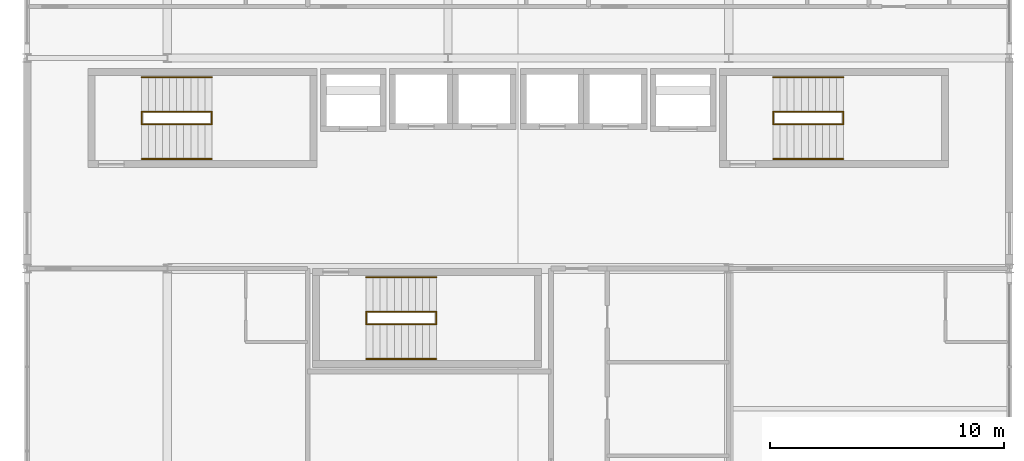
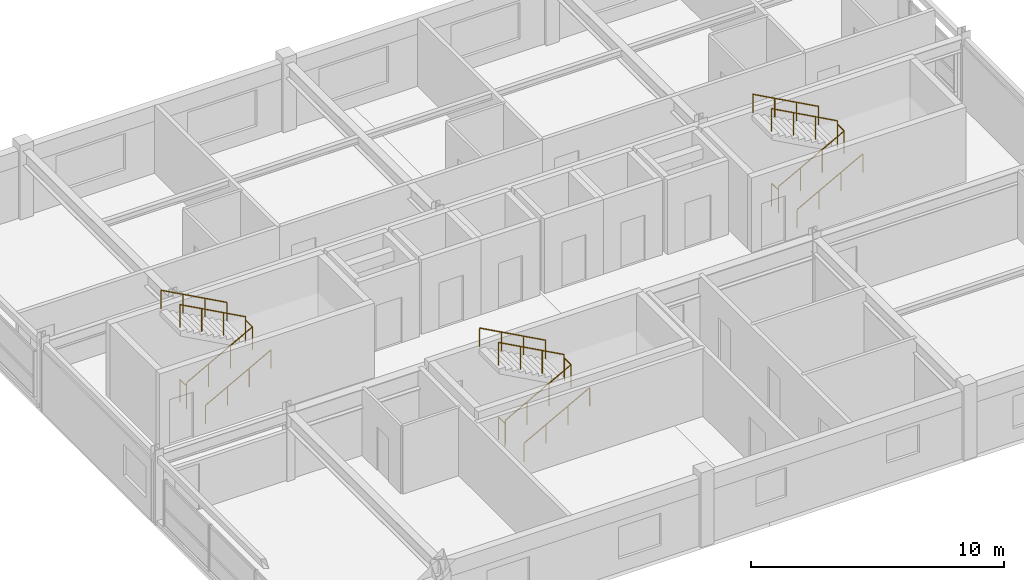
# One storey, part 22 of 22: 18 railings.
"""IFC4 building model written with IfcOpenShell, lengths in metres."""

from ifc_helpers import new_model, si_unit, direction, frame, origin, origin_2d, place, context, subcontext, project, spatial, circle, extrude, material, type_object, element, save


model = new_model("IFC4")

# Units and contexts
model_context = context("Model", 3, precision=1e-05, world=origin(), true_north=direction((0.0, 1.0)))
body_context = subcontext(model_context, "Body", "Model", "MODEL_VIEW")
ifc_project = project(units=[si_unit("LENGTHUNIT", "METRE"), si_unit("AREAUNIT", "SQUARE_METRE"), si_unit("VOLUMEUNIT", "CUBIC_METRE"), si_unit("PLANEANGLEUNIT", "RADIAN"), si_unit("MASSUNIT", "GRAM", prefix="KILO")], contexts=[model_context])

# Site, building, storey
site_placement = place(None, origin())
site = spatial("IfcSite", under=ifc_project, at=site_placement, CompositionType="ELEMENT")
building_placement = place(site_placement, origin())
building = spatial("IfcBuilding", under=site, at=building_placement, Name="Kaldorvane Square Convention Centre", CompositionType="ELEMENT")
storey_placement = place(building_placement, frame((0.0, 0.0, 67.19999694824219)))
storey = spatial("IfcBuildingStorey", under=building, at=storey_placement, Name="L16", CompositionType="ELEMENT", Elevation=67.19999694824219)

# Railings
ifc_material = material(Name="Architectural Painted Steel", Category="steel")
railing_type_1 = type_object("IfcRailingType", Name="RL-GUARD-1120", PredefinedType="BALUSTRADE", material=ifc_material)
for number, where, name in (
    (1, (40.899993896484375, 102.16999816894531, 0.0), "Tower Exit Stair T1 Floor Well Guard (L16)"),
    (2, (43.899993896484375, 102.16999816894531, 1.8000030517578125), "Tower Exit Stair T1 Half-Landing Guard (L16)"),
):
    element("IfcRailing", number, at=place(storey_placement, frame(where)), inside=storey, type_object=railing_type_1, Name=name, PredefinedType="BALUSTRADE", context=body_context, shape_type="SweptSolid", body=[
        extrude(circle(Radius=0.0240020751953125, at=origin_2d()), frame((0.0, 0.0, 1.0959930419921875), z_axis=(0.0, 1.0, 0.0), x_axis=(-1.0, 0.0, 0.0)), (0.0, 0.0, 1.0), 0.5200042724609375),
        extrude(circle(Radius=0.02099609375, at=origin_2d()), origin(), (0.0, 0.0, 1.0), 1.071990966796875),
        extrude(circle(Radius=0.02099609375, at=origin_2d()), frame((0.0, 0.5200042724609375, 0.0)), (0.0, 0.0, 1.0), 1.071990966796875),
    ])
railing_1_placement = place(storey_placement, frame((40.899993896484375, 102.16000366210938, 0.16363525390625)))
element("IfcRailing", 3, at=railing_1_placement, inside=storey, type_object=railing_type_1, Name="Tower Exit Stair T1 Flight 1 Guard (L16)", PredefinedType="BALUSTRADE", context=body_context, shape_type="SweptSolid", body=[
    extrude(circle(Radius=0.0240020751953125, at=origin_2d()), frame((0.0, 0.0, 1.0959930419921875), z_axis=(0.87789506098, 0.0, 0.478853069227), x_axis=(0.0, 1.0, 0.0)), (0.0, 0.0, 1.0), 3.417266845703125),
    extrude(circle(Radius=0.02099609375, at=origin_2d()), origin(), (0.0, 0.0, 1.0), 1.071990966796875),
    extrude(circle(Radius=0.02099609375, at=origin_2d()), frame((1.0, 0.0, 0.5454559326171875)), (0.0, 0.0, 1.0), 1.071990966796875),
    extrude(circle(Radius=0.02099609375, at=origin_2d()), frame((2.0, 0.0, 1.090911865234375)), (0.0, 0.0, 1.0), 1.071990966796875),
    extrude(circle(Radius=0.02099609375, at=origin_2d()), frame((3.0, 0.0, 1.6363677978515625)), (0.0, 0.0, 1.0), 1.071990966796875),
])
railing_2_placement = place(storey_placement, frame((43.899993896484375, 102.69999694824219, 1.9636383056640625)))
element("IfcRailing", 4, at=railing_2_placement, inside=storey, type_object=railing_type_1, Name="Tower Exit Stair T1 Flight 2 Guard (L16)", PredefinedType="BALUSTRADE", context=body_context, shape_type="SweptSolid", body=[
    extrude(circle(Radius=0.0240020751953125, at=origin_2d()), frame((0.0, 0.0, 1.0959930419921875), z_axis=(-0.87789506098, 0.0, 0.478853069227), x_axis=(0.0, -1.0, 0.0)), (0.0, 0.0, 1.0), 3.417266845703125),
    extrude(circle(Radius=0.02099609375, at=origin_2d()), origin(), (0.0, 0.0, 1.0), 1.071990966796875),
    extrude(circle(Radius=0.02099609375, at=origin_2d()), frame((-1.0, 0.0, 0.5454559326171875)), (0.0, 0.0, 1.0), 1.071990966796875),
    extrude(circle(Radius=0.02099609375, at=origin_2d()), frame((-2.0, 0.0, 1.090911865234375)), (0.0, 0.0, 1.0), 1.071990966796875),
    extrude(circle(Radius=0.02099609375, at=origin_2d()), frame((-3.0, 0.0, 1.6363677978515625)), (0.0, 0.0, 1.0), 1.071990966796875),
])
for number, where, name in (
    (5, (67.89999389648438, 102.16999816894531, 0.0), "Tower Exit Stair T2 Floor Well Guard (L16)"),
    (6, (70.89999389648438, 102.16999816894531, 1.8000030517578125), "Tower Exit Stair T2 Half-Landing Guard (L16)"),
):
    element("IfcRailing", number, at=place(storey_placement, frame(where)), inside=storey, type_object=railing_type_1, Name=name, PredefinedType="BALUSTRADE", context=body_context, shape_type="SweptSolid", body=[
        extrude(circle(Radius=0.0240020751953125, at=origin_2d()), frame((0.0, 0.0, 1.0959930419921875), z_axis=(0.0, 1.0, 0.0), x_axis=(-1.0, 0.0, 0.0)), (0.0, 0.0, 1.0), 0.5200042724609375),
        extrude(circle(Radius=0.02099609375, at=origin_2d()), origin(), (0.0, 0.0, 1.0), 1.071990966796875),
        extrude(circle(Radius=0.02099609375, at=origin_2d()), frame((0.0, 0.5200042724609375, 0.0)), (0.0, 0.0, 1.0), 1.071990966796875),
    ])
railing_3_placement = place(storey_placement, frame((67.89999389648438, 102.16000366210938, 0.16363525390625)))
element("IfcRailing", 7, at=railing_3_placement, inside=storey, type_object=railing_type_1, Name="Tower Exit Stair T2 Flight 1 Guard (L16)", PredefinedType="BALUSTRADE", context=body_context, shape_type="SweptSolid", body=[
    extrude(circle(Radius=0.0240020751953125, at=origin_2d()), frame((0.0, 0.0, 1.0959930419921875), z_axis=(0.87789506098, 0.0, 0.478853069227), x_axis=(0.0, 1.0, 0.0)), (0.0, 0.0, 1.0), 3.417266845703125),
    extrude(circle(Radius=0.02099609375, at=origin_2d()), origin(), (0.0, 0.0, 1.0), 1.071990966796875),
    extrude(circle(Radius=0.02099609375, at=origin_2d()), frame((1.0, 0.0, 0.5454559326171875)), (0.0, 0.0, 1.0), 1.071990966796875),
    extrude(circle(Radius=0.02099609375, at=origin_2d()), frame((2.0, 0.0, 1.090911865234375)), (0.0, 0.0, 1.0), 1.071990966796875),
    extrude(circle(Radius=0.02099609375, at=origin_2d()), frame((3.0, 0.0, 1.6363677978515625)), (0.0, 0.0, 1.0), 1.071990966796875),
])
railing_4_placement = place(storey_placement, frame((70.89999389648438, 102.69999694824219, 1.9636383056640625)))
element("IfcRailing", 8, at=railing_4_placement, inside=storey, type_object=railing_type_1, Name="Tower Exit Stair T2 Flight 2 Guard (L16)", PredefinedType="BALUSTRADE", context=body_context, shape_type="SweptSolid", body=[
    extrude(circle(Radius=0.0240020751953125, at=origin_2d()), frame((0.0, 0.0, 1.0959930419921875), z_axis=(-0.87789506098, 0.0, 0.478853069227), x_axis=(0.0, -1.0, 0.0)), (0.0, 0.0, 1.0), 3.417266845703125),
    extrude(circle(Radius=0.02099609375, at=origin_2d()), origin(), (0.0, 0.0, 1.0), 1.071990966796875),
    extrude(circle(Radius=0.02099609375, at=origin_2d()), frame((-1.0, 0.0, 0.5454559326171875)), (0.0, 0.0, 1.0), 1.071990966796875),
    extrude(circle(Radius=0.02099609375, at=origin_2d()), frame((-2.0, 0.0, 1.090911865234375)), (0.0, 0.0, 1.0), 1.071990966796875),
    extrude(circle(Radius=0.02099609375, at=origin_2d()), frame((-3.0, 0.0, 1.6363677978515625)), (0.0, 0.0, 1.0), 1.071990966796875),
])
for number, where, name in (
    (9, (50.5, 93.6199951171875, 0.0), "Tower Exit Stair T3 Floor Well Guard (L16)"),
    (10, (53.5, 93.6199951171875, 1.8000030517578125), "Tower Exit Stair T3 Half-Landing Guard (L16)"),
):
    element("IfcRailing", number, at=place(storey_placement, frame(where)), inside=storey, type_object=railing_type_1, Name=name, PredefinedType="BALUSTRADE", context=body_context, shape_type="SweptSolid", body=[
        extrude(circle(Radius=0.0240020751953125, at=origin_2d()), frame((0.0, 0.0, 1.0959930419921875), z_axis=(0.0, 1.0, 0.0), x_axis=(-1.0, 0.0, 0.0)), (0.0, 0.0, 1.0), 0.5200042724609375),
        extrude(circle(Radius=0.02099609375, at=origin_2d()), origin(), (0.0, 0.0, 1.0), 1.071990966796875),
        extrude(circle(Radius=0.02099609375, at=origin_2d()), frame((0.0, 0.5200042724609375, 0.0)), (0.0, 0.0, 1.0), 1.071990966796875),
    ])
railing_5_placement = place(storey_placement, frame((50.5, 93.61000061035156, 0.16363525390625)))
element("IfcRailing", 11, at=railing_5_placement, inside=storey, type_object=railing_type_1, Name="Tower Exit Stair T3 Flight 1 Guard (L16)", PredefinedType="BALUSTRADE", context=body_context, shape_type="SweptSolid", body=[
    extrude(circle(Radius=0.0240020751953125, at=origin_2d()), frame((0.0, 0.0, 1.0959930419921875), z_axis=(0.87789506098, 0.0, 0.478853069227), x_axis=(0.0, 1.0, 0.0)), (0.0, 0.0, 1.0), 3.417266845703125),
    extrude(circle(Radius=0.02099609375, at=origin_2d()), origin(), (0.0, 0.0, 1.0), 1.071990966796875),
    extrude(circle(Radius=0.02099609375, at=origin_2d()), frame((1.0, 0.0, 0.5454559326171875)), (0.0, 0.0, 1.0), 1.071990966796875),
    extrude(circle(Radius=0.02099609375, at=origin_2d()), frame((2.0, 0.0, 1.090911865234375)), (0.0, 0.0, 1.0), 1.071990966796875),
    extrude(circle(Radius=0.02099609375, at=origin_2d()), frame((3.0, 0.0, 1.6363677978515625)), (0.0, 0.0, 1.0), 1.071990966796875),
])
railing_6_placement = place(storey_placement, frame((53.5, 94.14999389648438, 1.9636383056640625)))
element("IfcRailing", 12, at=railing_6_placement, inside=storey, type_object=railing_type_1, Name="Tower Exit Stair T3 Flight 2 Guard (L16)", PredefinedType="BALUSTRADE", context=body_context, shape_type="SweptSolid", body=[
    extrude(circle(Radius=0.0240020751953125, at=origin_2d()), frame((0.0, 0.0, 1.0959930419921875), z_axis=(-0.87789506098, 0.0, 0.478853069227), x_axis=(0.0, -1.0, 0.0)), (0.0, 0.0, 1.0), 3.417266845703125),
    extrude(circle(Radius=0.02099609375, at=origin_2d()), origin(), (0.0, 0.0, 1.0), 1.071990966796875),
    extrude(circle(Radius=0.02099609375, at=origin_2d()), frame((-1.0, 0.0, 0.5454559326171875)), (0.0, 0.0, 1.0), 1.071990966796875),
    extrude(circle(Radius=0.02099609375, at=origin_2d()), frame((-2.0, 0.0, 1.090911865234375)), (0.0, 0.0, 1.0), 1.071990966796875),
    extrude(circle(Radius=0.02099609375, at=origin_2d()), frame((-3.0, 0.0, 1.6363677978515625)), (0.0, 0.0, 1.0), 1.071990966796875),
])
railing_type_2 = type_object("IfcRailingType", Name="RL-HAND-915", PredefinedType="HANDRAIL", material=ifc_material)
railing_7_placement = place(storey_placement, frame((40.899993896484375, 100.67999267578125, 0.16363525390625)))
element("IfcRailing", 13, at=railing_7_placement, inside=storey, type_object=railing_type_2, Name="Tower Exit Stair T1 Wall Handrail 1 (L16)", PredefinedType="HANDRAIL", context=body_context, shape_type="SweptSolid", body=[
    extrude(circle(Radius=0.0240020751953125, at=origin_2d()), frame((0.0, 0.0, 0.8909912109375), z_axis=(0.87789506098, 0.0, 0.478853069227), x_axis=(0.0, 1.0, 0.0)), (0.0, 0.0, 1.0), 3.417266845703125),
    extrude(circle(Radius=0.02099609375, at=origin_2d()), origin(), (0.0, 0.0, 1.0), 0.8669891357421875),
    extrude(circle(Radius=0.02099609375, at=origin_2d()), frame((1.0, 0.0, 0.5454559326171875)), (0.0, 0.0, 1.0), 0.8669891357421875),
    extrude(circle(Radius=0.02099609375, at=origin_2d()), frame((2.0, 0.0, 1.090911865234375)), (0.0, 0.0, 1.0), 0.8669891357421875),
    extrude(circle(Radius=0.02099609375, at=origin_2d()), frame((3.0, 0.0, 1.6363677978515625)), (0.0, 0.0, 1.0), 0.8669891357421875),
])
railing_8_placement = place(storey_placement, frame((43.899993896484375, 104.17999267578125, 1.9636383056640625)))
element("IfcRailing", 14, at=railing_8_placement, inside=storey, type_object=railing_type_2, Name="Tower Exit Stair T1 Wall Handrail 2 (L16)", PredefinedType="HANDRAIL", context=body_context, shape_type="SweptSolid", body=[
    extrude(circle(Radius=0.0240020751953125, at=origin_2d()), frame((0.0, 0.0, 0.8909912109375), z_axis=(-0.87789506098, 0.0, 0.478853069227), x_axis=(0.0, -1.0, 0.0)), (0.0, 0.0, 1.0), 3.417266845703125),
    extrude(circle(Radius=0.02099609375, at=origin_2d()), origin(), (0.0, 0.0, 1.0), 0.8669891357421875),
    extrude(circle(Radius=0.02099609375, at=origin_2d()), frame((-1.0, 0.0, 0.5454559326171875)), (0.0, 0.0, 1.0), 0.8669891357421875),
    extrude(circle(Radius=0.02099609375, at=origin_2d()), frame((-2.0, 0.0, 1.090911865234375)), (0.0, 0.0, 1.0), 0.8669891357421875),
    extrude(circle(Radius=0.02099609375, at=origin_2d()), frame((-3.0, 0.0, 1.6363677978515625)), (0.0, 0.0, 1.0), 0.8669891357421875),
])
railing_9_placement = place(storey_placement, frame((67.89999389648438, 100.67999267578125, 0.16363525390625)))
element("IfcRailing", 15, at=railing_9_placement, inside=storey, type_object=railing_type_2, Name="Tower Exit Stair T2 Wall Handrail 1 (L16)", PredefinedType="HANDRAIL", context=body_context, shape_type="SweptSolid", body=[
    extrude(circle(Radius=0.0240020751953125, at=origin_2d()), frame((0.0, 0.0, 0.8909912109375), z_axis=(0.87789506098, 0.0, 0.478853069227), x_axis=(0.0, 1.0, 0.0)), (0.0, 0.0, 1.0), 3.417266845703125),
    extrude(circle(Radius=0.02099609375, at=origin_2d()), origin(), (0.0, 0.0, 1.0), 0.8669891357421875),
    extrude(circle(Radius=0.02099609375, at=origin_2d()), frame((1.0, 0.0, 0.5454559326171875)), (0.0, 0.0, 1.0), 0.8669891357421875),
    extrude(circle(Radius=0.02099609375, at=origin_2d()), frame((2.0, 0.0, 1.090911865234375)), (0.0, 0.0, 1.0), 0.8669891357421875),
    extrude(circle(Radius=0.02099609375, at=origin_2d()), frame((3.0, 0.0, 1.6363677978515625)), (0.0, 0.0, 1.0), 0.8669891357421875),
])
railing_10_placement = place(storey_placement, frame((70.89999389648438, 104.17999267578125, 1.9636383056640625)))
element("IfcRailing", 16, at=railing_10_placement, inside=storey, type_object=railing_type_2, Name="Tower Exit Stair T2 Wall Handrail 2 (L16)", PredefinedType="HANDRAIL", context=body_context, shape_type="SweptSolid", body=[
    extrude(circle(Radius=0.0240020751953125, at=origin_2d()), frame((0.0, 0.0, 0.8909912109375), z_axis=(-0.87789506098, 0.0, 0.478853069227), x_axis=(0.0, -1.0, 0.0)), (0.0, 0.0, 1.0), 3.417266845703125),
    extrude(circle(Radius=0.02099609375, at=origin_2d()), origin(), (0.0, 0.0, 1.0), 0.8669891357421875),
    extrude(circle(Radius=0.02099609375, at=origin_2d()), frame((-1.0, 0.0, 0.5454559326171875)), (0.0, 0.0, 1.0), 0.8669891357421875),
    extrude(circle(Radius=0.02099609375, at=origin_2d()), frame((-2.0, 0.0, 1.090911865234375)), (0.0, 0.0, 1.0), 0.8669891357421875),
    extrude(circle(Radius=0.02099609375, at=origin_2d()), frame((-3.0, 0.0, 1.6363677978515625)), (0.0, 0.0, 1.0), 0.8669891357421875),
])
railing_11_placement = place(storey_placement, frame((50.5, 92.1300048828125, 0.16363525390625)))
element("IfcRailing", 17, at=railing_11_placement, inside=storey, type_object=railing_type_2, Name="Tower Exit Stair T3 Wall Handrail 1 (L16)", PredefinedType="HANDRAIL", context=body_context, shape_type="SweptSolid", body=[
    extrude(circle(Radius=0.0240020751953125, at=origin_2d()), frame((0.0, 0.0, 0.8909912109375), z_axis=(0.87789506098, 0.0, 0.478853069227), x_axis=(0.0, 1.0, 0.0)), (0.0, 0.0, 1.0), 3.417266845703125),
    extrude(circle(Radius=0.02099609375, at=origin_2d()), origin(), (0.0, 0.0, 1.0), 0.8669891357421875),
    extrude(circle(Radius=0.02099609375, at=origin_2d()), frame((1.0, 0.0, 0.5454559326171875)), (0.0, 0.0, 1.0), 0.8669891357421875),
    extrude(circle(Radius=0.02099609375, at=origin_2d()), frame((2.0, 0.0, 1.090911865234375)), (0.0, 0.0, 1.0), 0.8669891357421875),
    extrude(circle(Radius=0.02099609375, at=origin_2d()), frame((3.0, 0.0, 1.6363677978515625)), (0.0, 0.0, 1.0), 0.8669891357421875),
])
railing_12_placement = place(storey_placement, frame((53.5, 95.6300048828125, 1.9636383056640625)))
element("IfcRailing", 18, at=railing_12_placement, inside=storey, type_object=railing_type_2, Name="Tower Exit Stair T3 Wall Handrail 2 (L16)", PredefinedType="HANDRAIL", context=body_context, shape_type="SweptSolid", body=[
    extrude(circle(Radius=0.0240020751953125, at=origin_2d()), frame((0.0, 0.0, 0.8909912109375), z_axis=(-0.87789506098, 0.0, 0.478853069227), x_axis=(0.0, -1.0, 0.0)), (0.0, 0.0, 1.0), 3.417266845703125),
    extrude(circle(Radius=0.02099609375, at=origin_2d()), origin(), (0.0, 0.0, 1.0), 0.8669891357421875),
    extrude(circle(Radius=0.02099609375, at=origin_2d()), frame((-1.0, 0.0, 0.5454559326171875)), (0.0, 0.0, 1.0), 0.8669891357421875),
    extrude(circle(Radius=0.02099609375, at=origin_2d()), frame((-2.0, 0.0, 1.090911865234375)), (0.0, 0.0, 1.0), 0.8669891357421875),
    extrude(circle(Radius=0.02099609375, at=origin_2d()), frame((-3.0, 0.0, 1.6363677978515625)), (0.0, 0.0, 1.0), 0.8669891357421875),
])

save(model, "model.ifc")
